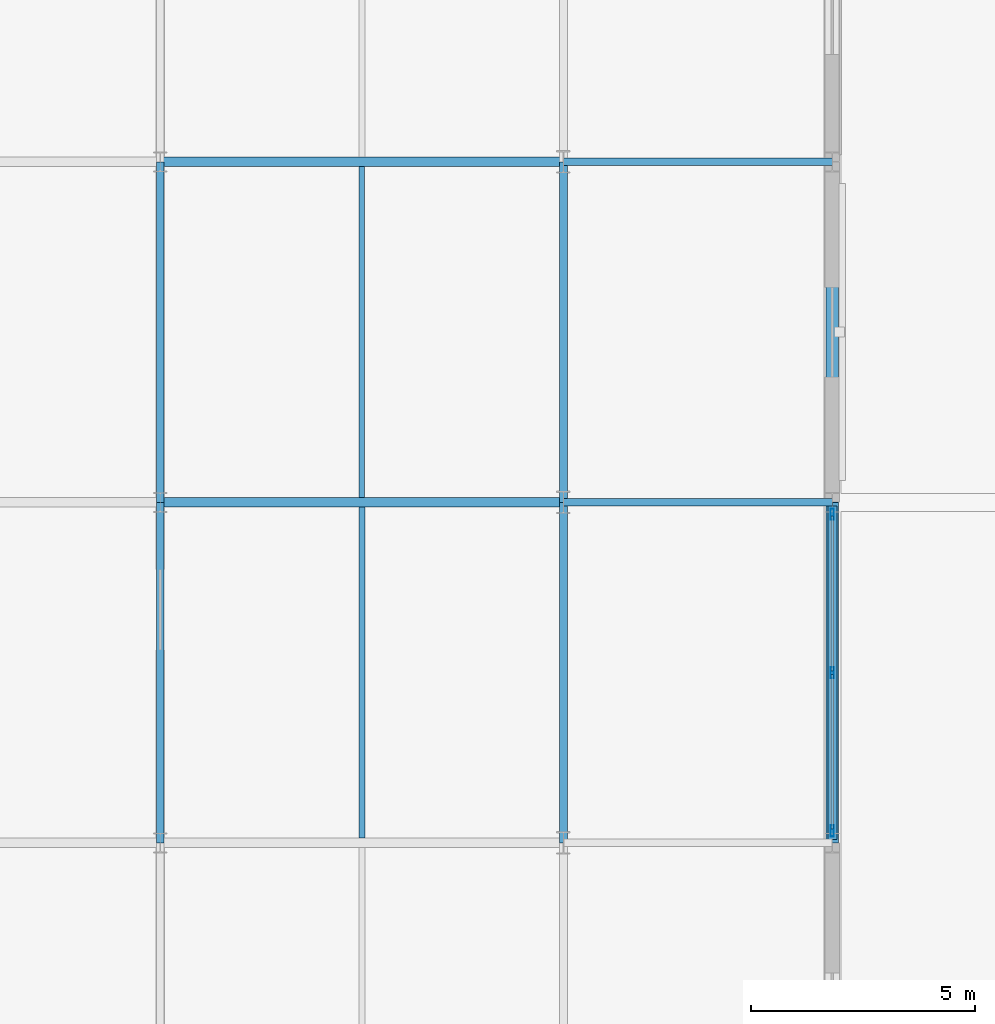
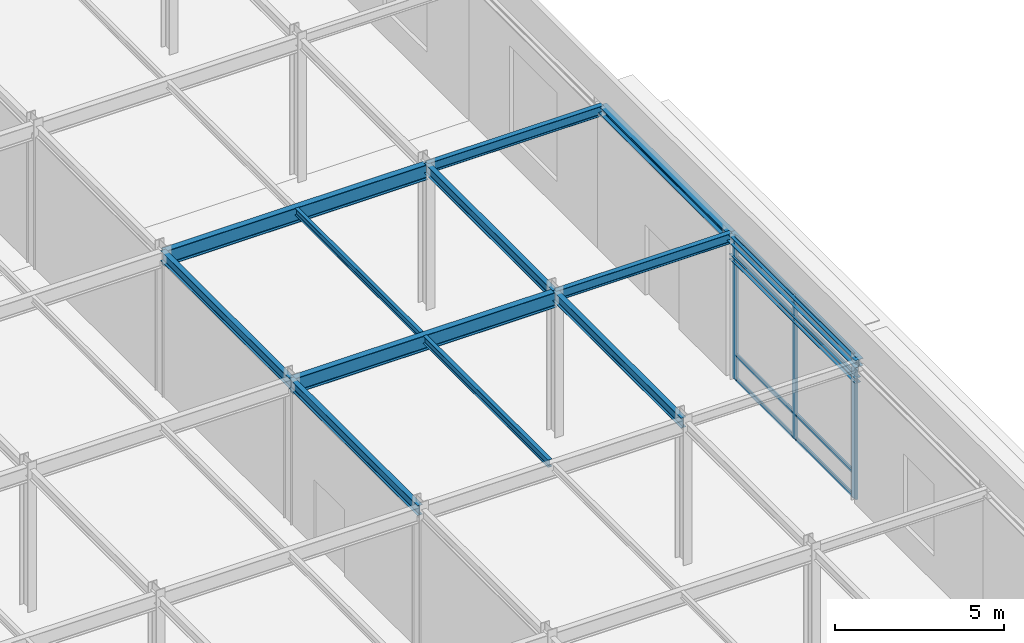
# One storey, part 48 of 89: 13 beams, 11 members, 1 element without a shape of its own.
"""IFC4 building model written with IfcOpenShell, lengths in metres."""

from ifc_helpers import new_model, si_unit, direction, frame, origin, origin_2d, place, context, subcontext, project, spatial, hollow_rectangle, i_section, extrude, material, layer, layer_set, material_profile, profile_set, type_object, element, aggregate, save


model = new_model("IFC4")

# Units and contexts
model_context = context("Model", 3, precision=1e-05, world=origin(), true_north=direction((0.0, 1.0)))
body_context = subcontext(model_context, "Body", "Model", "MODEL_VIEW")
ifc_project = project(units=[si_unit("LENGTHUNIT", "METRE"), si_unit("AREAUNIT", "SQUARE_METRE"), si_unit("VOLUMEUNIT", "CUBIC_METRE"), si_unit("PLANEANGLEUNIT", "RADIAN"), si_unit("MASSUNIT", "GRAM", prefix="KILO")], contexts=[model_context])

# Site, building, storey
site_placement = place(None, origin())
site = spatial("IfcSite", under=ifc_project, at=site_placement, CompositionType="ELEMENT")
building_placement = place(site_placement, origin())
building = spatial("IfcBuilding", under=site, at=building_placement, Name="Shalkamar Park Central Library", CompositionType="ELEMENT")
storey_placement = place(building_placement, origin())
storey = spatial("IfcBuildingStorey", under=building, at=storey_placement, Name="L01", CompositionType="ELEMENT", Elevation=0.0)

# Beams
ifc_material_1 = material(Name="Steel S355", Category="steel")
ifc_material_profile_1 = material_profile(ifc_material_1, i_section(OverallWidth=0.1201171875, OverallDepth=0.239990234375, WebThickness=0.006103515625, FlangeThickness=0.009765625, FilletRadius=0.014892578125, at=origin_2d()), Name="IPE 240")
ifc_profile_set_1 = profile_set([ifc_material_profile_1], Name="Steel S355")
beam_type_1 = type_object("IfcBeamType", Name="Composite Floor Joist IPE240", PredefinedType="JOIST", material=ifc_profile_set_1)
beam_1_placement = place(storey_placement, frame((277.5, 285.702880859375, 5.030029296875), z_axis=(0.0, 1.0, 0.0), x_axis=(-1.0, 0.0, 0.0)))
element("IfcBeam", 1, at=beam_1_placement, inside=storey, type_object=beam_type_1, Name="Composite Joist 20/G-1 (L01)", PredefinedType="JOIST", context=body_context, shape_type="SweptSolid", body=[
    extrude(i_section(OverallWidth=0.1201171875, OverallDepth=0.239990234375, WebThickness=0.006103515625, FlangeThickness=0.009765625, FilletRadius=0.014892578125, at=origin_2d()), origin(), (0.0, 0.0, 1.0), 7.39404296875),
])
ifc_material_profile_2 = material_profile(ifc_material_1, i_section(OverallWidth=0.135009765625, OverallDepth=0.27001953125, WebThickness=0.006591796875, FlangeThickness=0.01025390625, FilletRadius=0.014892578125, at=origin_2d()), Name="IPE 270")
ifc_profile_set_2 = profile_set([ifc_material_profile_2], Name="Steel S355")
beam_type_2 = type_object("IfcBeamType", Name="Composite Floor Joist IPE270", PredefinedType="JOIST", material=ifc_profile_set_2)
beam_2_placement = place(storey_placement, frame((277.5, 278.10302734375, 5.014892578125), z_axis=(0.0, 1.0, 0.0), x_axis=(-1.0, 0.0, 0.0)))
element("IfcBeam", 2, at=beam_2_placement, inside=storey, type_object=beam_type_2, Name="Composite Joist 20/F-1 (L01)", PredefinedType="JOIST", context=body_context, shape_type="SweptSolid", body=[
    extrude(i_section(OverallWidth=0.135009765625, OverallDepth=0.27001953125, WebThickness=0.006591796875, FlangeThickness=0.01025390625, FilletRadius=0.014892578125, at=origin_2d()), origin(), (0.0, 0.0, 1.0), 7.39404296875),
])

# Curtain wall, members
ifc_material_2 = material(Name="Thermally broken aluminium and triple low-e curtain wall", Category="aluminium")
ifc_layer = layer(ifc_material_2, 0.25)
ifc_layer_set = layer_set([ifc_layer], Name="UnitisedCurtainWall_18")
curtain_wall_type = type_object("IfcCurtainWallType", Name="Unitised Curtain Wall 18", PredefinedType="USERDEFINED", material=ifc_layer_set)
curtain_wall_placement = place(storey_placement, origin())
curtain_wall = element("IfcCurtainWall", 3, at=curtain_wall_placement, inside=storey, type_object=curtain_wall_type, Name="Unitised Curtain Wall CW-L01-019", ObjectType="UNITISED CURTAIN WALL", PredefinedType="USERDEFINED")
ifc_material_3 = material(Name="Aluminium 6060-T66", Category="aluminium")
ifc_material_profile_3 = material_profile(ifc_material_3, hollow_rectangle(XDim=0.074951171875, YDim=0.25, WallThickness=0.00390625, InnerFilletRadius=0.00390625, OuterFilletRadius=0.006103515625, at=origin_2d()), Name="ALU 75x250x4")
ifc_profile_set_3 = profile_set([ifc_material_profile_3], Name="Aluminium 6060-T66")
member_type_1 = type_object("IfcMemberType", Name="Curtain Wall Mullion ALU75x250", PredefinedType="MULLION", material=ifc_profile_set_3)
member_1_placement = place(storey_placement, frame((288.0, 278.2666015625, 0.0), z_axis=(0.0, 0.0, 1.0), x_axis=(-1.0, 0.0, 0.0)))
member_1 = element("IfcMember", 4, at=member_1_placement, type_object=member_type_1, Name="CW-18 mullion 1", PredefinedType="MULLION", context=body_context, shape_type="SweptSolid", body=[
    extrude(hollow_rectangle(XDim=0.074951171875, YDim=0.25, WallThickness=0.00390625, InnerFilletRadius=0.00390625, OuterFilletRadius=0.006103515625, at=origin_2d()), origin(), (0.0, 0.0, 1.0), 5.14990234375),
])
member_2_placement = place(storey_placement, frame((288.0, 281.800048828125, 0.0), z_axis=(0.0, 0.0, 1.0), x_axis=(-1.0, 0.0, 0.0)))
member_2 = element("IfcMember", 5, at=member_2_placement, type_object=member_type_1, Name="CW-18 mullion 2", PredefinedType="MULLION", context=body_context, shape_type="SweptSolid", body=[
    extrude(hollow_rectangle(XDim=0.074951171875, YDim=0.25, WallThickness=0.00390625, InnerFilletRadius=0.00390625, OuterFilletRadius=0.006103515625, at=origin_2d()), origin(), (0.0, 0.0, 1.0), 5.14990234375),
])
member_3_placement = place(storey_placement, frame((288.0, 285.33349609375, 0.0), z_axis=(0.0, 0.0, 1.0), x_axis=(-1.0, 0.0, 0.0)))
member_3 = element("IfcMember", 6, at=member_3_placement, type_object=member_type_1, Name="CW-18 mullion 3", PredefinedType="MULLION", context=body_context, shape_type="SweptSolid", body=[
    extrude(hollow_rectangle(XDim=0.074951171875, YDim=0.25, WallThickness=0.00390625, InnerFilletRadius=0.00390625, OuterFilletRadius=0.006103515625, at=origin_2d()), origin(), (0.0, 0.0, 1.0), 5.14990234375),
])
ifc_material_profile_4 = material_profile(ifc_material_3, hollow_rectangle(XDim=0.06005859375, YDim=0.159912109375, WallThickness=0.00390625, InnerFilletRadius=0.00390625, OuterFilletRadius=0.006103515625, at=origin_2d()), Name="ALU 60x160x4")
ifc_profile_set_4 = profile_set([ifc_material_profile_4], Name="Aluminium 6060-T66")
member_type_2 = type_object("IfcMemberType", Name="Curtain Wall Transom ALU60x160", PredefinedType="USERDEFINED", material=ifc_profile_set_4)
member_4_placement = place(storey_placement, frame((288.0, 278.303955078125, 0.030029296875), z_axis=(0.0, 1.0, 0.0), x_axis=(-1.0, 0.0, 0.0)))
member_4 = element("IfcMember", 7, at=member_4_placement, type_object=member_type_2, Name="CW-18 transom 1.1", ObjectType="TRANSOM", PredefinedType="USERDEFINED", context=body_context, shape_type="SweptSolid", body=[
    extrude(hollow_rectangle(XDim=0.06005859375, YDim=0.159912109375, WallThickness=0.00390625, InnerFilletRadius=0.00390625, OuterFilletRadius=0.006103515625, at=origin_2d()), origin(), (0.0, 0.0, 1.0), 3.45849609375),
])
member_5_placement = place(storey_placement, frame((288.0, 278.303955078125, 0.89990234375), z_axis=(0.0, 1.0, 0.0), x_axis=(-1.0, 0.0, 0.0)))
member_5 = element("IfcMember", 8, at=member_5_placement, type_object=member_type_2, Name="CW-18 transom 1.2", ObjectType="TRANSOM", PredefinedType="USERDEFINED", context=body_context, shape_type="SweptSolid", body=[
    extrude(hollow_rectangle(XDim=0.06005859375, YDim=0.159912109375, WallThickness=0.00390625, InnerFilletRadius=0.00390625, OuterFilletRadius=0.006103515625, at=origin_2d()), origin(), (0.0, 0.0, 1.0), 3.45849609375),
])
member_6_placement = place(storey_placement, frame((288.0, 278.303955078125, 4.39990234375), z_axis=(0.0, 1.0, 0.0), x_axis=(-1.0, 0.0, 0.0)))
member_6 = element("IfcMember", 9, at=member_6_placement, type_object=member_type_2, Name="CW-18 transom 1.3", ObjectType="TRANSOM", PredefinedType="USERDEFINED", context=body_context, shape_type="SweptSolid", body=[
    extrude(hollow_rectangle(XDim=0.06005859375, YDim=0.159912109375, WallThickness=0.00390625, InnerFilletRadius=0.00390625, OuterFilletRadius=0.006103515625, at=origin_2d()), origin(), (0.0, 0.0, 1.0), 3.45849609375),
])
member_7_placement = place(storey_placement, frame((288.0, 278.303955078125, 5.1201171875), z_axis=(0.0, 1.0, 0.0), x_axis=(-1.0, 0.0, 0.0)))
member_7 = element("IfcMember", 10, at=member_7_placement, type_object=member_type_2, Name="CW-18 transom 1.4", ObjectType="TRANSOM", PredefinedType="USERDEFINED", context=body_context, shape_type="SweptSolid", body=[
    extrude(hollow_rectangle(XDim=0.06005859375, YDim=0.159912109375, WallThickness=0.00390625, InnerFilletRadius=0.00390625, OuterFilletRadius=0.006103515625, at=origin_2d()), origin(), (0.0, 0.0, 1.0), 3.45849609375),
])
member_8_placement = place(storey_placement, frame((288.0, 281.83740234375, 0.030029296875), z_axis=(0.0, 1.0, 0.0), x_axis=(-1.0, 0.0, 0.0)))
member_8 = element("IfcMember", 11, at=member_8_placement, type_object=member_type_2, Name="CW-18 transom 2.1", ObjectType="TRANSOM", PredefinedType="USERDEFINED", context=body_context, shape_type="SweptSolid", body=[
    extrude(hollow_rectangle(XDim=0.06005859375, YDim=0.159912109375, WallThickness=0.00390625, InnerFilletRadius=0.00390625, OuterFilletRadius=0.006103515625, at=origin_2d()), origin(), (0.0, 0.0, 1.0), 3.45849609375),
])
member_9_placement = place(storey_placement, frame((288.0, 281.83740234375, 0.89990234375), z_axis=(0.0, 1.0, 0.0), x_axis=(-1.0, 0.0, 0.0)))
member_9 = element("IfcMember", 12, at=member_9_placement, type_object=member_type_2, Name="CW-18 transom 2.2", ObjectType="TRANSOM", PredefinedType="USERDEFINED", context=body_context, shape_type="SweptSolid", body=[
    extrude(hollow_rectangle(XDim=0.06005859375, YDim=0.159912109375, WallThickness=0.00390625, InnerFilletRadius=0.00390625, OuterFilletRadius=0.006103515625, at=origin_2d()), origin(), (0.0, 0.0, 1.0), 3.45849609375),
])
member_10_placement = place(storey_placement, frame((288.0, 281.83740234375, 4.39990234375), z_axis=(0.0, 1.0, 0.0), x_axis=(-1.0, 0.0, 0.0)))
member_10 = element("IfcMember", 13, at=member_10_placement, type_object=member_type_2, Name="CW-18 transom 2.3", ObjectType="TRANSOM", PredefinedType="USERDEFINED", context=body_context, shape_type="SweptSolid", body=[
    extrude(hollow_rectangle(XDim=0.06005859375, YDim=0.159912109375, WallThickness=0.00390625, InnerFilletRadius=0.00390625, OuterFilletRadius=0.006103515625, at=origin_2d()), origin(), (0.0, 0.0, 1.0), 3.45849609375),
])
member_11_placement = place(storey_placement, frame((288.0, 281.83740234375, 5.1201171875), z_axis=(0.0, 1.0, 0.0), x_axis=(-1.0, 0.0, 0.0)))
member_11 = element("IfcMember", 14, at=member_11_placement, type_object=member_type_2, Name="CW-18 transom 2.4", ObjectType="TRANSOM", PredefinedType="USERDEFINED", context=body_context, shape_type="SweptSolid", body=[
    extrude(hollow_rectangle(XDim=0.06005859375, YDim=0.159912109375, WallThickness=0.00390625, InnerFilletRadius=0.00390625, OuterFilletRadius=0.006103515625, at=origin_2d()), origin(), (0.0, 0.0, 1.0), 3.45849609375),
])
aggregate(curtain_wall, [member_1, member_2, member_3, member_4, member_5, member_6, member_7, member_8, member_9, member_10, member_11])

# Beams
ifc_material_profile_5 = material_profile(ifc_material_1, i_section(OverallWidth=0.199951171875, OverallDepth=0.18994140625, WebThickness=0.006591796875, FlangeThickness=0.010009765625, FilletRadius=0.01806640625, at=origin_2d()), Name="HEA 200")
ifc_profile_set_5 = profile_set([ifc_material_profile_5], Name="Steel S355")
beam_type_3 = type_object("IfcBeamType", Name="Opening Lintel Beam HEA200", PredefinedType="LINTEL", material=ifc_profile_set_5)
beam_3_placement = place(storey_placement, frame((288.0, 278.080078125, 4.35009765625), z_axis=(0.0, 1.0, 0.0), x_axis=(-1.0, 0.0, 0.0)))
element("IfcBeam", 15, at=beam_3_placement, inside=storey, type_object=beam_type_3, Name="Opening Lintel L01-23", PredefinedType="LINTEL", context=body_context, shape_type="SweptSolid", body=[
    extrude(i_section(OverallWidth=0.199951171875, OverallDepth=0.18994140625, WebThickness=0.006591796875, FlangeThickness=0.010009765625, FilletRadius=0.01806640625, at=origin_2d()), origin(), (0.0, 0.0, 1.0), 7.43994140625),
])
ifc_material_profile_6 = material_profile(ifc_material_1, i_section(OverallWidth=0.280029296875, OverallDepth=0.27001953125, WebThickness=0.008056640625, FlangeThickness=0.012939453125, FilletRadius=0.02392578125, at=origin_2d()), Name="HEA 280")
ifc_profile_set_6 = profile_set([ifc_material_profile_6], Name="Steel S355")
beam_type_4 = type_object("IfcBeamType", Name="Perimeter Spandrel Beam HEA280", PredefinedType="SPANDREL", material=ifc_profile_set_6)
beam_4_placement = place(storey_placement, frame((288.0, 278.0, 5.014892578125), z_axis=(0.0, 1.0, 0.0), x_axis=(-1.0, 0.0, 0.0)))
element("IfcBeam", 16, at=beam_4_placement, inside=storey, type_object=beam_type_4, Name="Beam 22:F-G (L01)", PredefinedType="SPANDREL", context=body_context, shape_type="SweptSolid", body=[
    extrude(i_section(OverallWidth=0.280029296875, OverallDepth=0.27001953125, WebThickness=0.008056640625, FlangeThickness=0.012939453125, FilletRadius=0.02392578125, at=origin_2d()), origin(), (0.0, 0.0, 1.0), 7.60009765625),
])
beam_5_placement = place(storey_placement, frame((288.0, 285.60009765625, 5.014892578125), z_axis=(0.0, 1.0, 0.0), x_axis=(-1.0, 0.0, 0.0)))
element("IfcBeam", 17, at=beam_5_placement, inside=storey, type_object=beam_type_4, Name="Beam 22:G-H (L01)", PredefinedType="SPANDREL", context=body_context, shape_type="SweptSolid", body=[
    extrude(i_section(OverallWidth=0.280029296875, OverallDepth=0.27001953125, WebThickness=0.008056640625, FlangeThickness=0.012939453125, FilletRadius=0.02392578125, at=origin_2d()), origin(), (0.0, 0.0, 1.0), 7.599853515625),
])
ifc_material_profile_7 = material_profile(ifc_material_1, i_section(OverallWidth=0.169921875, OverallDepth=0.360107421875, WebThickness=0.008056640625, FlangeThickness=0.0126953125, FilletRadius=0.01806640625, at=origin_2d()), Name="IPE 360")
ifc_profile_set_7 = profile_set([ifc_material_profile_7], Name="Steel S355")
beam_type_5 = type_object("IfcBeamType", Name="Primary Girder IPE360", PredefinedType="BEAM", material=ifc_profile_set_7)
for number, where, z_axis, x_axis, name in (
    (18, (282.0, 285.60009765625, 4.969970703125), (1.0, 0.0, 0.0), (0.0, 1.0, 0.0), "Beam G:21-22 (L01)"),
    (19, (282.0, 293.199951171875, 4.969970703125), (1.0, 0.0, 0.0), (0.0, 1.0, 0.0), "Beam H:21-22 (L01)"),
):
    element("IfcBeam", number, at=place(storey_placement, frame(where, z_axis=z_axis, x_axis=x_axis)), inside=storey, type_object=beam_type_5, Name=name, PredefinedType="BEAM", context=body_context, shape_type="SweptSolid", body=[
        extrude(i_section(OverallWidth=0.169921875, OverallDepth=0.360107421875, WebThickness=0.008056640625, FlangeThickness=0.0126953125, FilletRadius=0.01806640625, at=origin_2d()), origin(), (0.0, 0.0, 1.0), 6.0),
    ])
beam_6_placement = place(storey_placement, frame((273.0, 278.0, 4.9599609375), z_axis=(0.0, 1.0, 0.0), x_axis=(-1.0, 0.0, 0.0)))
element("IfcBeam", 20, at=beam_6_placement, inside=storey, type_object=beam_type_5, Name="Beam 20:F-G (L01)", PredefinedType="BEAM", context=body_context, shape_type="SweptSolid", body=[
    extrude(i_section(OverallWidth=0.169921875, OverallDepth=0.360107421875, WebThickness=0.008056640625, FlangeThickness=0.0126953125, FilletRadius=0.01806640625, at=origin_2d()), origin(), (0.0, 0.0, 1.0), 7.60009765625),
])
beam_7_placement = place(storey_placement, frame((273.0, 285.60009765625, 4.9599609375), z_axis=(0.0, 1.0, 0.0), x_axis=(-1.0, 0.0, 0.0)))
element("IfcBeam", 21, at=beam_7_placement, inside=storey, type_object=beam_type_5, Name="Beam 20:G-H (L01)", PredefinedType="BEAM", context=body_context, shape_type="SweptSolid", body=[
    extrude(i_section(OverallWidth=0.169921875, OverallDepth=0.360107421875, WebThickness=0.008056640625, FlangeThickness=0.0126953125, FilletRadius=0.01806640625, at=origin_2d()), origin(), (0.0, 0.0, 1.0), 7.599853515625),
])
beam_8_placement = place(storey_placement, frame((282.0, 278.0, 4.969970703125), z_axis=(0.0, 1.0, 0.0), x_axis=(-1.0, 0.0, 0.0)))
element("IfcBeam", 22, at=beam_8_placement, inside=storey, type_object=beam_type_5, Name="Beam 21:F-G (L01)", PredefinedType="BEAM", context=body_context, shape_type="SweptSolid", body=[
    extrude(i_section(OverallWidth=0.169921875, OverallDepth=0.360107421875, WebThickness=0.008056640625, FlangeThickness=0.0126953125, FilletRadius=0.01806640625, at=origin_2d()), origin(), (0.0, 0.0, 1.0), 7.60009765625),
])
beam_9_placement = place(storey_placement, frame((282.0, 285.60009765625, 4.969970703125), z_axis=(0.0, 1.0, 0.0), x_axis=(-1.0, 0.0, 0.0)))
element("IfcBeam", 23, at=beam_9_placement, inside=storey, type_object=beam_type_5, Name="Beam 21:G-H (L01)", PredefinedType="BEAM", context=body_context, shape_type="SweptSolid", body=[
    extrude(i_section(OverallWidth=0.169921875, OverallDepth=0.360107421875, WebThickness=0.008056640625, FlangeThickness=0.0126953125, FilletRadius=0.01806640625, at=origin_2d()), origin(), (0.0, 0.0, 1.0), 7.599853515625),
])
ifc_material_profile_8 = material_profile(ifc_material_1, i_section(OverallWidth=0.2099609375, OverallDepth=0.550048828125, WebThickness=0.010986328125, FlangeThickness=0.01708984375, FilletRadius=0.02392578125, at=origin_2d()), Name="IPE 550")
ifc_profile_set_8 = profile_set([ifc_material_profile_8], Name="Steel S355")
beam_type_6 = type_object("IfcBeamType", Name="Primary Girder IPE550", PredefinedType="BEAM", material=ifc_profile_set_8)
for number, where, z_axis, x_axis, name in (
    (24, (273.0, 285.60009765625, 4.864990234375), (1.0, 0.0, 0.0), (0.0, 1.0, 0.0), "Beam G:20-21 (L01)"),
    (25, (273.0, 293.199951171875, 4.864990234375), (1.0, 0.0, 0.0), (0.0, 1.0, 0.0), "Beam H:20-21 (L01)"),
):
    element("IfcBeam", number, at=place(storey_placement, frame(where, z_axis=z_axis, x_axis=x_axis)), inside=storey, type_object=beam_type_6, Name=name, PredefinedType="BEAM", context=body_context, shape_type="SweptSolid", body=[
        extrude(i_section(OverallWidth=0.2099609375, OverallDepth=0.550048828125, WebThickness=0.010986328125, FlangeThickness=0.01708984375, FilletRadius=0.02392578125, at=origin_2d()), origin(), (0.0, 0.0, 1.0), 9.0),
    ])

save(model, "model.ifc")
